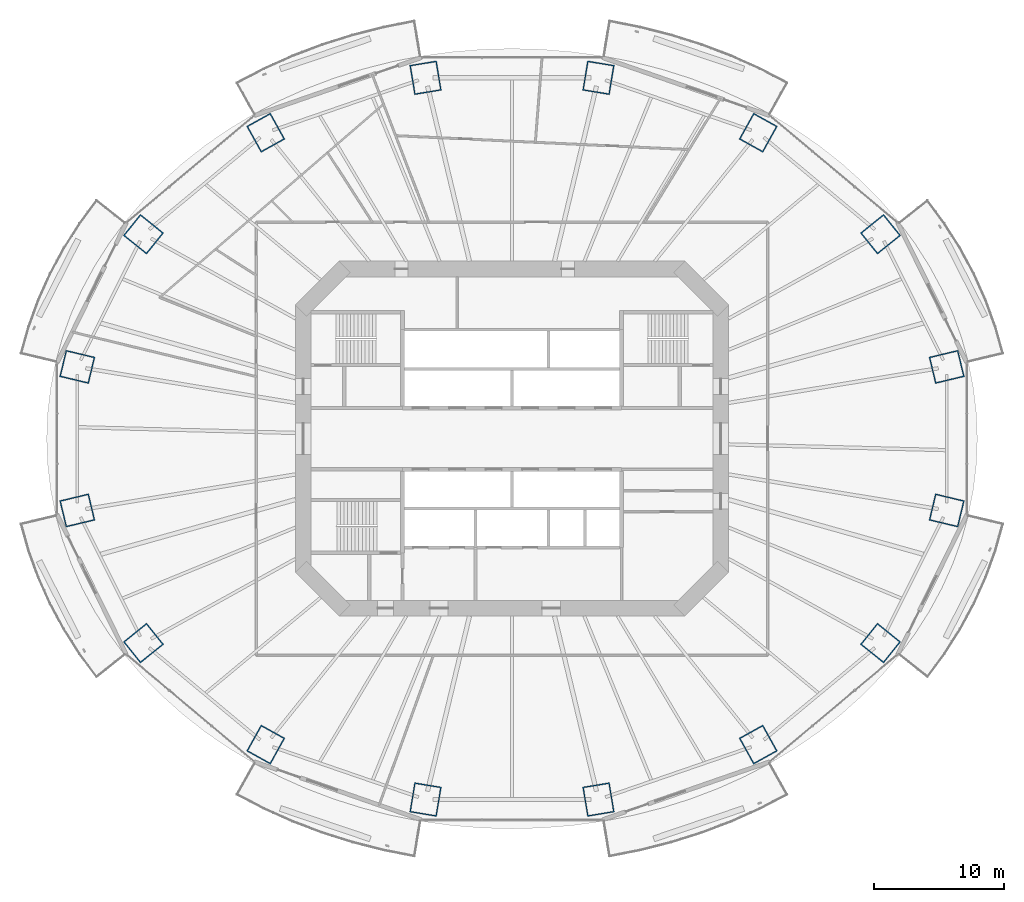
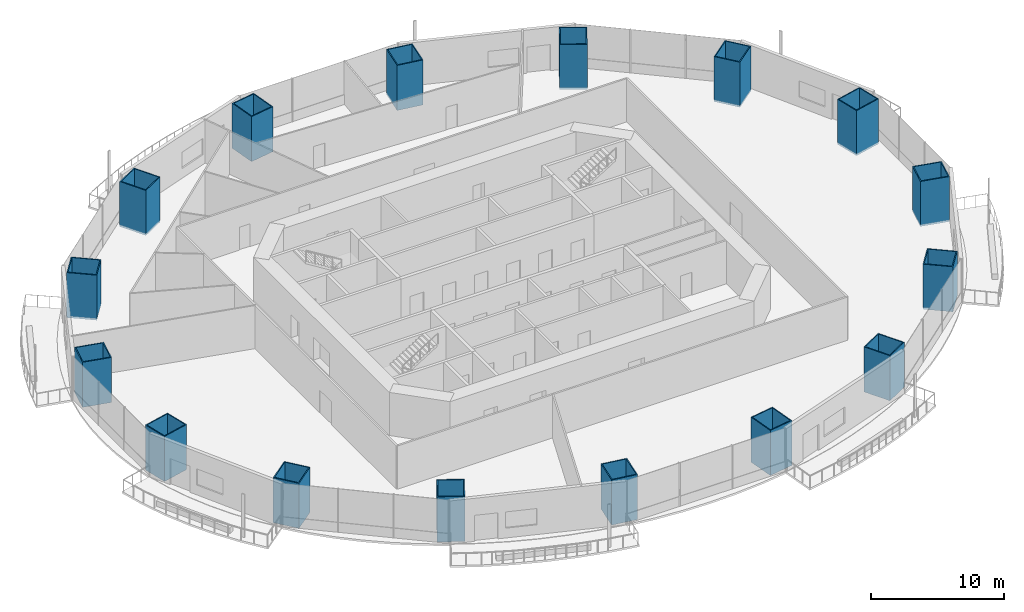
# One storey, part 1 of 22: 16 columns.
"""IFC4 building model written with IfcOpenShell, lengths in metres."""

from ifc_helpers import new_model, si_unit, direction, frame, origin, origin_2d, place, context, subcontext, project, spatial, rectangle, hollow_rectangle, extrude, material, material_profile, profile_set, type_object, element, save


model = new_model("IFC4")

# Units and contexts
model_context = context("Model", 3, precision=1e-05, world=origin(), true_north=direction((0.0, 1.0)))
body_context = subcontext(model_context, "Body", "Model", "MODEL_VIEW")
ifc_project = project(units=[si_unit("LENGTHUNIT", "METRE"), si_unit("AREAUNIT", "SQUARE_METRE"), si_unit("VOLUMEUNIT", "CUBIC_METRE"), si_unit("PLANEANGLEUNIT", "RADIAN"), si_unit("MASSUNIT", "GRAM", prefix="KILO")], contexts=[model_context])

# Site, building, storey
site_placement = place(None, origin())
site = spatial("IfcSite", under=ifc_project, at=site_placement, CompositionType="ELEMENT")
building_placement = place(site_placement, origin())
building = spatial("IfcBuilding", under=site, at=building_placement, Name="Marenthal Gate Tower", CompositionType="ELEMENT")
storey_placement = place(building_placement, frame((0.0, 0.0, 70.35009765625)))
storey = spatial("IfcBuildingStorey", under=building, at=storey_placement, Name="L13", CompositionType="ELEMENT", Elevation=70.35009765625)

# Columns
ifc_material_1 = material(Name="Steel S460", Category="steel")
ifc_material_profile_1 = material_profile(ifc_material_1, hollow_rectangle(XDim=2.10009765625, YDim=2.300048828125, WallThickness=0.0849609375, at=origin_2d()), Name="CFT BOX 2300X2100X85")
ifc_material_2 = material(Name="Concrete 70 MPa", Category="concrete")
ifc_material_profile_2 = material_profile(ifc_material_2, rectangle(XDim=1.929931640625, YDim=2.1298828125, at=origin_2d()), Name="CFT BOX 2300X2100X85 INFILL")
ifc_profile_set = profile_set([ifc_material_profile_1, ifc_material_profile_2], Name="Steel S460 shell, Concrete 70 MPa infill")
column_type = type_object("IfcColumnType", Name="CFT BOX 2300X2100X85", PredefinedType="COLUMN", material=ifc_profile_set)
for number, where, z_axis, x_axis, name in (
    (1, (33.3203125, 5.502197265625, -0.18017578125), (0.0, 0.0, 1.0), (0.233004092362, -0.972475754424, 0.0), "COL-L13-01"),
    (2, (28.24755859375, 15.669189453125, -0.18017578125), (0.0, 0.0, 1.0), (0.626996829827, -0.779021806747, 0.0), "COL-L13-02"),
    (3, (18.87451171875, 23.45068359375, -0.18017578125), (0.0, 0.0, 1.0), (0.874469049806, -0.485081313732, 0.0), "COL-L13-03"),
    (4, (6.627685546875, 27.662109375, -0.18017578125), (0.0, 0.0, 1.0), (0.986637929724, -0.162928191637, 0.0), "COL-L13-04"),
    (5, (-6.627685546875, 27.662109375, -0.18017578125), (0.0, 0.0, 1.0), (0.986637929724, 0.162928191637, 0.0), "COL-L13-05"),
    (6, (-18.87451171875, 23.45068359375, -0.18017578125), (0.0, 0.0, 1.0), (0.874469049806, 0.485081313732, 0.0), "COL-L13-06"),
    (7, (-28.24755859375, 15.669189453125, -0.18017578125), (0.0, 0.0, 1.0), (0.626996829827, 0.779021806747, 0.0), "COL-L13-07"),
    (8, (-33.3203125, 5.502197265625, -0.18017578125), (0.0, 0.0, 1.0), (0.233004092362, 0.972475754424, 0.0), "COL-L13-08"),
    (9, (-33.3203125, -5.502197265625, -0.18017578125), (0.0, 0.0, 1.0), (-0.233004092362, 0.972475754424, 0.0), "COL-L13-09"),
    (10, (-28.24755859375, -15.669189453125, -0.18017578125), (0.0, 0.0, 1.0), (-0.626996829827, 0.779021806747, 0.0), "COL-L13-10"),
    (11, (-18.87451171875, -23.45068359375, -0.18017578125), (0.0, 0.0, 1.0), (-0.874469049806, 0.485081313732, 0.0), "COL-L13-11"),
    (12, (-6.627685546875, -27.662109375, -0.18017578125), (0.0, 0.0, 1.0), (-0.986637929724, 0.162928191637, 0.0), "COL-L13-12"),
    (13, (6.627685546875, -27.662109375, -0.18017578125), (0.0, 0.0, 1.0), (-0.986637929724, -0.162928191637, 0.0), "COL-L13-13"),
    (14, (18.87451171875, -23.45068359375, -0.18017578125), (0.0, 0.0, 1.0), (-0.874469049806, -0.485081313732, 0.0), "COL-L13-14"),
    (15, (28.24755859375, -15.669189453125, -0.18017578125), (0.0, 0.0, 1.0), (-0.626996829827, -0.779021806747, 0.0), "COL-L13-15"),
    (16, (33.3203125, -5.502197265625, -0.18017578125), (0.0, 0.0, 1.0), (-0.233004092362, -0.972475754424, 0.0), "COL-L13-16"),
):
    element("IfcColumn", number, at=place(storey_placement, frame(where, z_axis=z_axis, x_axis=x_axis)), inside=storey, type_object=column_type, Name=name, PredefinedType="COLUMN", context=body_context, shape_type="SweptSolid", body=[
        extrude(hollow_rectangle(XDim=2.10009765625, YDim=2.300048828125, WallThickness=0.0849609375, at=origin_2d()), origin(), (0.0, 0.0, 1.0), 4.150146484375),
    ])

save(model, "model.ifc")
